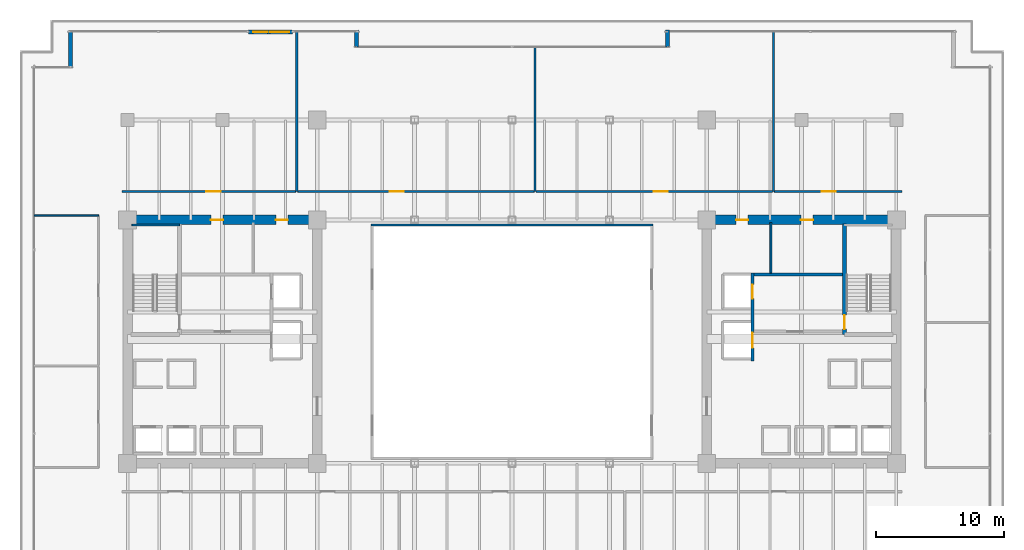
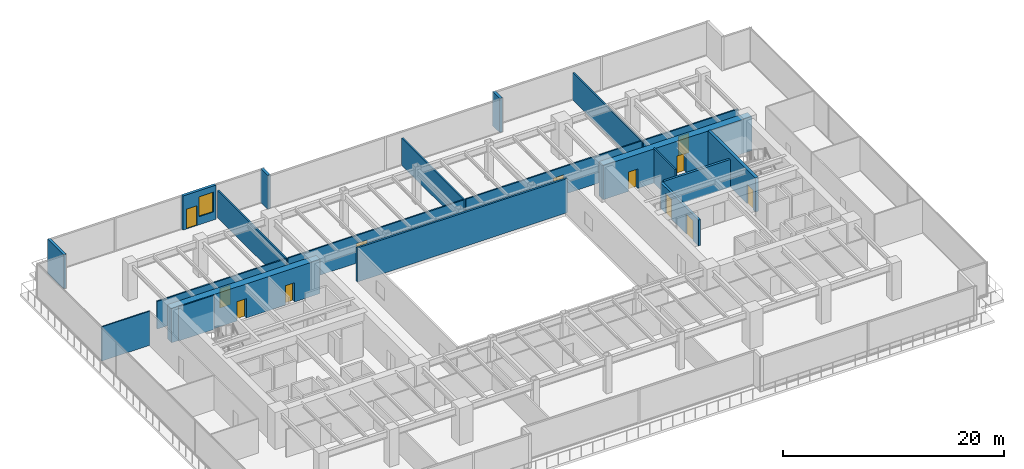
# One storey, part 31 of 36: 20 walls, 12 doors, 1 window, 13 openings.
"""IFC4 building model written with IfcOpenShell, lengths in metres."""

from ifc_helpers import new_model, si_unit, direction, frame, frame_2d, origin, place, context, subcontext, project, spatial, rectangle, extrude, source, transform, mapped, material, layer, layer_set, type_object, type_shapes, element, fill, save


model = new_model("IFC4")

# Units and contexts
model_context = context("Model", 3, precision=1e-05, world=origin(), true_north=direction((0.0, 1.0)))
body_context = subcontext(model_context, "Body", "Model", "MODEL_VIEW")
ifc_project = project(units=[si_unit("LENGTHUNIT", "METRE"), si_unit("AREAUNIT", "SQUARE_METRE"), si_unit("VOLUMEUNIT", "CUBIC_METRE"), si_unit("PLANEANGLEUNIT", "RADIAN"), si_unit("MASSUNIT", "GRAM", prefix="KILO")], contexts=[model_context])

# Site, building, storey
site_placement = place(None, origin())
site = spatial("IfcSite", under=ifc_project, at=site_placement, CompositionType="ELEMENT")
building_placement = place(site_placement, origin())
building = spatial("IfcBuilding", under=site, at=building_placement, Name="Haelvirn Gate Laboratories", CompositionType="ELEMENT")
storey_placement = place(building_placement, frame((0.0, 0.0, 25.199951171875)))
storey = spatial("IfcBuildingStorey", under=building, at=storey_placement, Name="L06", CompositionType="ELEMENT", Elevation=25.199951171875)

# Wall, openings, door, window
ifc_material_1 = material(Name="Thermally-broken bronze aluminium rainscreen & mineral wool", Category="aluminium")
ifc_layer_1 = layer(ifc_material_1, 0.280029296875, Name="EW-TERR-280")
ifc_layer_set_1 = layer_set([ifc_layer_1], Name="Thermally-broken bronze aluminium rainscreen & mineral wool")
wall_type_1 = type_object("IfcWallType", Name="EW-TERR-280", PredefinedType="STANDARD", material=ifc_layer_set_1)
wall_1_placement = place(storey_placement, frame((16.822021484375, 48.4599609375, 0.0), z_axis=(0.0, 0.0, 1.0), x_axis=(1.0, 0.0, 0.0)))
wall_1 = element("IfcWall", 1, at=wall_1_placement, inside=storey, type_object=wall_type_1, Name="L06 Terrace Access Wall SETB-N", PredefinedType="STANDARD", context=body_context, shape_type="SweptSolid", body=[
    extrude(rectangle(XDim=3.4560546875, YDim=0.280029296875, at=frame_2d((1.72802734375, 0.0))), origin(), (0.0, 0.0, 1.0), 3.780029296875),
])
opening_1_placement = place(wall_1_placement, frame((0.3779296875, 0.0, 0.0)))
opening_1 = element("IfcOpeningElement", 2, at=opening_1_placement, cuts=wall_1, Name="Opening TD1", PredefinedType="OPENING", context=body_context, shape_type="SweptSolid", body=[
    extrude(rectangle(XDim=1.10009765625, YDim=2.199951171875, at=frame_2d((0.550048828125, 1.10009765625))), frame((0.0, 0.14990234375, 0.0), z_axis=(0.0, -1.0, 0.0), x_axis=(1.0, 0.0, 0.0)), (0.0, 0.0, 1.0), 0.300048828125),
])
opening_2_placement = place(wall_1_placement, frame((1.677978515625, 0.0, 0.89990234375)))
opening_2 = element("IfcOpeningElement", 3, at=opening_2_placement, cuts=wall_1, Name="Opening W3", PredefinedType="OPENING", context=body_context, shape_type="SweptSolid", body=[
    extrude(rectangle(XDim=1.5, YDim=2.199951171875, at=frame_2d((0.75, 1.10009765625))), frame((0.0, 0.14990234375, 0.0), z_axis=(0.0, -1.0, 0.0), x_axis=(1.0, 0.0, 0.0)), (0.0, 0.0, 1.0), 0.300048828125),
])
ifc_material_2 = material(Name="Thermally-broken bronze aluminium glazed terrace door", Category="aluminium")
door_type_1 = type_object("IfcDoorType", Name="DR-TERR-1100", OperationType="NOTDEFINED", PredefinedType="DOOR", material=ifc_material_2)
shared_shape_1 = source(origin(), body_context, "Body", "SweptSolid", [
    extrude(rectangle(XDim=1.10009765625, YDim=2.199951171875, at=frame_2d((0.550048828125, 1.10009765625))), frame((0.0, 0.02490234375, 0.0), z_axis=(0.0, -1.0, 0.0), x_axis=(1.0, 0.0, 0.0)), (0.0, 0.0, 1.0), 0.050048828125),
])
type_shapes(door_type_1, [shared_shape_1])
door_1_placement = place(opening_1_placement, origin())
door_1 = element("IfcDoor", 4, at=door_1_placement, inside=storey, type_object=door_type_1, Name="L06 Terrace Access Door SETB-N", OperationType="SINGLE_SWING_RIGHT", OverallHeight=2.199951171875, OverallWidth=1.10009765625, PredefinedType="DOOR", context=body_context, shape_type="MappedRepresentation", body=[
    mapped(shared_shape_1, transform((0.0, 0.0, 0.0), scale=1.0)),
])
fill(opening_1, door_1)
ifc_material_3 = material(Name="Bronze anodised aluminium & triple low-E glass", Category="aluminium")
window_type = type_object("IfcWindowType", Name="WIN-TERR-1600", PartitioningType="SINGLE_PANEL", PredefinedType="WINDOW", material=ifc_material_3)
shared_shape_2 = source(origin(), body_context, "Body", "SweptSolid", [
    extrude(rectangle(XDim=1.5, YDim=2.199951171875, at=frame_2d((0.75, 1.10009765625))), frame((0.0, 0.030029296875, 0.0), z_axis=(0.0, -1.0, 0.0), x_axis=(1.0, 0.0, 0.0)), (0.0, 0.0, 1.0), 0.06005859375),
])
type_shapes(window_type, [shared_shape_2])
window_placement = place(opening_2_placement, origin())
window = element("IfcWindow", 5, at=window_placement, inside=storey, type_object=window_type, Name="L06 Terrace Vision Window SETB-N", OverallHeight=2.199951171875, OverallWidth=1.5, PartitioningType="SINGLE_PANEL", PredefinedType="WINDOW", context=body_context, shape_type="MappedRepresentation", body=[
    mapped(shared_shape_2, transform((0.0, 0.0, 0.0), scale=1.0)),
])
fill(opening_2, window)

# Walls
for number, where, z_axis, x_axis, name in (
    (6, (49.5400390625, 48.60009765625, 0.0), (0.0, 0.0, 1.0), (0.0, -1.0, 0.0), "L06 Atrium Recess Bronze Return Wall 11"),
    (7, (25.260009765625, 47.31201171875, 0.0), (0.0, 0.0, 1.0), (0.0, 1.0, 0.0), "L06 Atrium Recess Bronze Return Wall 13"),
):
    element("IfcWall", number, at=place(storey_placement, frame(where, z_axis=z_axis, x_axis=x_axis)), inside=storey, type_object=wall_type_1, Name=name, PredefinedType="STANDARD", context=body_context, shape_type="SweptSolid", body=[
        extrude(rectangle(XDim=1.2880859375, YDim=0.280029296875, at=frame_2d((0.64404296875, 0.0))), origin(), (0.0, 0.0, 1.0), 3.780029296875),
    ])
wall_2_placement = place(storey_placement, frame((2.93994140625, 48.60009765625, 0.0), z_axis=(0.0, 0.0, 1.0), x_axis=(0.0, -1.0, 0.0)))
element("IfcWall", 8, at=wall_2_placement, inside=storey, type_object=wall_type_1, Name="L06 Atrium Recess Bronze Return Wall 15", PredefinedType="STANDARD", context=body_context, shape_type="SweptSolid", body=[
    extrude(rectangle(XDim=2.88818359375, YDim=0.280029296875, at=frame_2d((1.444091796875, 0.0))), origin(), (0.0, 0.0, 1.0), 3.780029296875),
])
ifc_material_4 = material(Name="Double-layer acoustic gypsum laboratory partition", Category="gypsum")
ifc_layer_2 = layer(ifc_material_4, 0.159912109375, Name="IW-ACOUST-160")
ifc_layer_set_2 = layer_set([ifc_layer_2], Name="Double-layer acoustic gypsum laboratory partition")
wall_type_2 = type_object("IfcWallType", Name="IW-ACOUST-160", PredefinedType="PARTITIONING", material=ifc_layer_set_2)
wall_3_placement = place(storey_placement, frame((20.60009765625, 36.010009765625, 0.0), z_axis=(0.0, 0.0, 1.0), x_axis=(0.0, 1.0, 0.0)))
element("IfcWall", 9, at=wall_3_placement, inside=storey, type_object=wall_type_2, Name="L06 Interior Wall IW-L06-NDIV-01", PredefinedType="PARTITIONING", context=body_context, shape_type="SweptSolid", body=[
    extrude(rectangle(XDim=12.47998046875, YDim=0.159912109375, at=frame_2d((6.239990234375, 0.0))), origin(), (0.0, 0.0, 1.0), 3.01513671875),
])
wall_4_placement = place(storey_placement, frame((39.199951171875, 36.010009765625, 0.0), z_axis=(0.0, 0.0, 1.0), x_axis=(0.0, 1.0, 0.0)))
element("IfcWall", 10, at=wall_4_placement, inside=storey, type_object=wall_type_2, Name="L06 Interior Wall IW-L06-NDIV-02", PredefinedType="PARTITIONING", context=body_context, shape_type="SweptSolid", body=[
    extrude(rectangle(XDim=11.280029296875, YDim=0.159912109375, at=frame_2d((5.64013671875, 0.0))), origin(), (0.0, 0.0, 1.0), 3.01513671875),
])
wall_5_placement = place(storey_placement, frame((57.800048828125, 36.010009765625, 0.0), z_axis=(0.0, 0.0, 1.0), x_axis=(0.0, 1.0, 0.0)))
element("IfcWall", 11, at=wall_5_placement, inside=storey, type_object=wall_type_2, Name="L06 Interior Wall IW-L06-NDIV-03", PredefinedType="PARTITIONING", context=body_context, shape_type="SweptSolid", body=[
    extrude(rectangle(XDim=12.47998046875, YDim=0.159912109375, at=frame_2d((6.239990234375, 0.0))), origin(), (0.0, 0.0, 1.0), 3.01513671875),
])
ifc_material_5 = material(Name="Tempered fire-rated borosilicate glass & anodised aluminium", Category="aluminium")
ifc_layer_3 = layer(ifc_material_5, 0.195068359375, Name="IW-GLAZ-200")
ifc_layer_set_3 = layer_set([ifc_layer_3], Name="Tempered fire-rated borosilicate glass & anodised aluminium")
wall_type_3 = type_object("IfcWallType", Name="IW-GLAZ-200", PredefinedType="SOLIDWALL", material=ifc_layer_set_3)
wall_6_placement = place(storey_placement, frame((26.39990234375, 33.39990234375, 0.0), z_axis=(0.0, 0.0, 1.0), x_axis=(1.0, 0.0, 0.0)))
element("IfcWall", 12, at=wall_6_placement, inside=storey, type_object=wall_type_3, Name="L06 Interior Wall IW-L06-ATRIUM-N", PredefinedType="SOLIDWALL", context=body_context, shape_type="SweptSolid", body=[
    extrude(rectangle(XDim=22.0, YDim=0.195068359375, at=frame_2d((11.0, 0.0))), origin(), (0.0, 0.0, 1.0), 3.780029296875),
])
ifc_material_6 = material(Name="Lightweight acoustic gypsum board partition", Category="gypsum")
ifc_layer_4 = layer(ifc_material_6, 0.1201171875, Name="IW-PART-120")
ifc_layer_set_4 = layer_set([ifc_layer_4], Name="Lightweight acoustic gypsum board partition")
wall_type_4 = type_object("IfcWallType", Name="IW-PART-120", PredefinedType="PARTITIONING", material=ifc_layer_set_4)
wall_7_placement = place(storey_placement, frame((0.110107421875, 34.135009765625, 0.0), z_axis=(0.0, 0.0, 1.0), x_axis=(1.0, 0.0, 0.0)))
element("IfcWall", 13, at=wall_7_placement, inside=storey, type_object=wall_type_4, Name="L06 Interior Wall IW-L06-WCAP-N", PredefinedType="PARTITIONING", context=body_context, shape_type="SweptSolid", body=[
    extrude(rectangle(XDim=5.019775390625, YDim=0.1201171875, at=frame_2d((2.509765625, 0.0))), origin(), (0.0, 0.0, 1.0), 3.780029296875),
])

# Wall, opening, door
ifc_material_7 = material(Name="Acoustic mineral-wool gypsum board partition", Category="gypsum")
ifc_layer_5 = layer(ifc_material_7, 0.139892578125, Name="IW-PART-140")
ifc_layer_set_5 = layer_set([ifc_layer_5], Name="Acoustic mineral-wool gypsum board partition")
wall_type_5 = type_object("IfcWallType", Name="IW-PART-140", PredefinedType="PARTITIONING", material=ifc_layer_set_5)
wall_8_placement = place(storey_placement, frame((6.97998046875, 36.010009765625, 0.0), z_axis=(0.0, 0.0, 1.0), x_axis=(1.0, 0.0, 0.0)))
wall_8 = element("IfcWall", 14, at=wall_8_placement, inside=storey, type_object=wall_type_5, Name="L06 Interior Wall IW-L06-NCORR-01", PredefinedType="PARTITIONING", context=body_context, shape_type="SweptSolid", body=[
    extrude(rectangle(XDim=13.5400390625, YDim=0.139892578125, at=frame_2d((6.77001953125, 0.0))), origin(), (0.0, 0.0, 1.0), 3.06494140625),
])
opening_3_placement = place(wall_8_placement, frame((6.572265625, 0.0, 0.0)))
opening_3 = element("IfcOpeningElement", 15, at=opening_3_placement, cuts=wall_8, Name="Opening D1", PredefinedType="OPENING", context=body_context, shape_type="SweptSolid", body=[
    extrude(rectangle(XDim=1.10009765625, YDim=2.179931640625, at=frame_2d((0.550048828125, 1.08984375))), frame((0.0, 0.080078125, 0.0), z_axis=(0.0, -1.0, 0.0), x_axis=(1.0, 0.0, 0.0)), (0.0, 0.0, 1.0), 0.159912109375),
])
ifc_material_8 = material(Name="Vision-panel acoustic solid-core timber lab door", Category="wood")
door_type_2 = type_object("IfcDoorType", Name="DR-LAB-1100", OperationType="NOTDEFINED", PredefinedType="DOOR", material=ifc_material_8)
shared_shape_3 = source(origin(), body_context, "Body", "SweptSolid", [
    extrude(rectangle(XDim=1.10009765625, YDim=2.179931640625, at=frame_2d((0.550048828125, 1.08984375))), frame((0.0, 0.02490234375, 0.0), z_axis=(0.0, -1.0, 0.0), x_axis=(1.0, 0.0, 0.0)), (0.0, 0.0, 1.0), 0.050048828125),
])
type_shapes(door_type_2, [shared_shape_3])
door_2_placement = place(opening_3_placement, origin())
door_2 = element("IfcDoor", 16, at=door_2_placement, inside=storey, type_object=door_type_2, Name="L06 Researcher Break Pantry Door N1", OperationType="SINGLE_SWING_RIGHT", OverallHeight=2.179931640625, OverallWidth=1.10009765625, PredefinedType="DOOR", context=body_context, shape_type="MappedRepresentation", body=[
    mapped(shared_shape_3, transform((0.0, 0.0, 0.0), scale=1.0)),
])
fill(opening_3, door_2)

wall_9_placement = place(storey_placement, frame((20.679931640625, 36.010009765625, 0.0), z_axis=(0.0, 0.0, 1.0), x_axis=(1.0, 0.0, 0.0)))
wall_9 = element("IfcWall", 17, at=wall_9_placement, inside=storey, type_object=wall_type_5, Name="L06 Interior Wall IW-L06-NCORR-02", PredefinedType="PARTITIONING", context=body_context, shape_type="SweptSolid", body=[
    extrude(rectangle(XDim=18.440185546875, YDim=0.139892578125, at=frame_2d((9.22021484375, 0.0))), origin(), (0.0, 0.0, 1.0), 3.06494140625),
])
opening_4_placement = place(wall_9_placement, frame((7.17236328125, 0.0, 0.0)))
opening_4 = element("IfcOpeningElement", 18, at=opening_4_placement, cuts=wall_9, Name="Opening D1", PredefinedType="OPENING", context=body_context, shape_type="SweptSolid", body=[
    extrude(rectangle(XDim=1.10009765625, YDim=2.179931640625, at=frame_2d((0.550048828125, 1.08984375))), frame((0.0, 0.080078125, 0.0), z_axis=(0.0, -1.0, 0.0), x_axis=(1.0, 0.0, 0.0)), (0.0, 0.0, 1.0), 0.159912109375),
])
door_3_placement = place(opening_4_placement, origin())
door_3 = element("IfcDoor", 19, at=door_3_placement, inside=storey, type_object=door_type_2, Name="L06 Floor Hydration & Tea Servery Door N2", OperationType="SINGLE_SWING_LEFT", OverallHeight=2.179931640625, OverallWidth=1.10009765625, PredefinedType="DOOR", context=body_context, shape_type="MappedRepresentation", body=[
    mapped(shared_shape_3, transform((0.0, 0.0, 0.0), scale=1.0)),
])
fill(opening_4, door_3)

wall_10_placement = place(storey_placement, frame((39.280029296875, 36.010009765625, 0.0), z_axis=(0.0, 0.0, 1.0), x_axis=(1.0, 0.0, 0.0)))
wall_10 = element("IfcWall", 20, at=wall_10_placement, inside=storey, type_object=wall_type_5, Name="L06 Interior Wall IW-L06-NCORR-03", PredefinedType="PARTITIONING", context=body_context, shape_type="SweptSolid", body=[
    extrude(rectangle(XDim=18.43994140625, YDim=0.139892578125, at=frame_2d((9.219970703125, 0.0))), origin(), (0.0, 0.0, 1.0), 3.06494140625),
])
opening_5_placement = place(wall_10_placement, frame((9.169189453125, 0.0, 0.0)))
opening_5 = element("IfcOpeningElement", 21, at=opening_5_placement, cuts=wall_10, Name="Opening D1", PredefinedType="OPENING", context=body_context, shape_type="SweptSolid", body=[
    extrude(rectangle(XDim=1.10009765625, YDim=2.179931640625, at=frame_2d((0.550048828125, 1.08984375))), frame((0.0, 0.080078125, 0.0), z_axis=(0.0, -1.0, 0.0), x_axis=(1.0, 0.0, 0.0)), (0.0, 0.0, 1.0), 0.159912109375),
])
door_4_placement = place(opening_5_placement, origin())
door_4 = element("IfcDoor", 22, at=door_4_placement, inside=storey, type_object=door_type_2, Name="L06 Genomics Assay Laboratory Door N3", OperationType="SINGLE_SWING_RIGHT", OverallHeight=2.179931640625, OverallWidth=1.10009765625, PredefinedType="DOOR", context=body_context, shape_type="MappedRepresentation", body=[
    mapped(shared_shape_3, transform((0.0, 0.0, 0.0), scale=1.0)),
])
fill(opening_5, door_4)

wall_11_placement = place(storey_placement, frame((57.8798828125, 36.010009765625, 0.0), z_axis=(0.0, 0.0, 1.0), x_axis=(1.0, 0.0, 0.0)))
wall_11 = element("IfcWall", 23, at=wall_11_placement, inside=storey, type_object=wall_type_5, Name="L06 Interior Wall IW-L06-NCORR-04", PredefinedType="PARTITIONING", context=body_context, shape_type="SweptSolid", body=[
    extrude(rectangle(XDim=9.940185546875, YDim=0.139892578125, at=frame_2d((4.97021484375, 0.0))), origin(), (0.0, 0.0, 1.0), 3.06494140625),
])
opening_6_placement = place(wall_11_placement, frame((3.6875, 0.0, 0.0)))
opening_6 = element("IfcOpeningElement", 24, at=opening_6_placement, cuts=wall_11, Name="Opening D1", PredefinedType="OPENING", context=body_context, shape_type="SweptSolid", body=[
    extrude(rectangle(XDim=1.10009765625, YDim=2.179931640625, at=frame_2d((0.550048828125, 1.08984375))), frame((0.0, 0.080078125, 0.0), z_axis=(0.0, -1.0, 0.0), x_axis=(1.0, 0.0, 0.0)), (0.0, 0.0, 1.0), 0.159912109375),
])
door_5_placement = place(opening_6_placement, origin())
door_5 = element("IfcDoor", 25, at=door_5_placement, inside=storey, type_object=door_type_2, Name="L06 Proteomics Mass-Spec Laboratory Door N4", OperationType="SINGLE_SWING_LEFT", OverallHeight=2.179931640625, OverallWidth=1.10009765625, PredefinedType="DOOR", context=body_context, shape_type="MappedRepresentation", body=[
    mapped(shared_shape_3, transform((0.0, 0.0, 0.0), scale=1.0)),
])
fill(opening_6, door_5)

# Walls
ifc_material_9 = material(Name="Cement-board restroom plumbing chase wall", Category="gypsum")
ifc_layer_6 = layer(ifc_material_9, 0.155029296875, Name="IW-PLUMB-160")
ifc_layer_set_6 = layer_set([ifc_layer_6], Name="Cement-board restroom plumbing chase wall")
wall_type_6 = type_object("IfcWallType", Name="IW-PLUMB-160", PredefinedType="PLUMBINGWALL", material=ifc_layer_set_6)
wall_12_placement = place(storey_placement, frame((57.610107421875, 29.64990234375, 0.0), z_axis=(0.0, 0.0, 1.0), x_axis=(0.0, 1.0, 0.0)))
element("IfcWall", 26, at=wall_12_placement, inside=storey, type_object=wall_type_6, Name="L06 Interior Wall IW-L06-E-CDIV-1", PredefinedType="PLUMBINGWALL", context=body_context, shape_type="SweptSolid", body=[
    extrude(rectangle(XDim=3.93017578125, YDim=0.155029296875, at=frame_2d((1.965087890625, 0.0))), origin(), (0.0, 0.0, 1.0), 3.780029296875),
])
ifc_material_10 = material(Name="Concrete C40/50", Category="concrete")
ifc_layer_7 = layer(ifc_material_10, 0.239990234375, Name="IW-SHAFT-240")
ifc_layer_set_7 = layer_set([ifc_layer_7], Name="Concrete C40/50")
wall_type_7 = type_object("IfcWallType", Name="IW-SHAFT-240", PredefinedType="SOLIDWALL", material=ifc_layer_set_7)
wall_13_placement = place(storey_placement, frame((56.280029296875, 29.52001953125, 0.0), z_axis=(0.0, 0.0, 1.0), x_axis=(1.0, 0.0, 0.0)))
element("IfcWall", 27, at=wall_13_placement, inside=storey, type_object=wall_type_7, Name="L06 Interior Wall IW-L06-E-FF-N", PredefinedType="SOLIDWALL", context=body_context, shape_type="SweptSolid", body=[
    extrude(rectangle(XDim=6.919921875, YDim=0.239990234375, at=frame_2d((3.4599609375, 0.0))), origin(), (0.0, 0.0, 1.0), 3.06494140625),
])

# Wall, openings, doors
wall_14_placement = place(storey_placement, frame((56.159912109375, 22.800048828125, 0.0), z_axis=(0.0, 0.0, 1.0), x_axis=(0.0, 1.0, 0.0)))
wall_14 = element("IfcWall", 28, at=wall_14_placement, inside=storey, type_object=wall_type_7, Name="L06 Interior Wall IW-L06-E-FF-E", PredefinedType="SOLIDWALL", context=body_context, shape_type="SweptSolid", body=[
    extrude(rectangle(XDim=6.849853515625, YDim=0.239990234375, at=frame_2d((3.4248046875, 0.0))), origin(), (0.0, 0.0, 1.0), 2.864990234375),
])
opening_7_placement = place(wall_14_placement, frame((4.85009765625, 0.0, 0.0)))
opening_7 = element("IfcOpeningElement", 29, at=opening_7_placement, cuts=wall_14, Name="Opening LD2", PredefinedType="OPENING", context=body_context, shape_type="SweptSolid", body=[
    extrude(rectangle(XDim=1.10009765625, YDim=2.219970703125, at=frame_2d((0.550048828125, 1.10986328125))), frame((0.0, 0.1298828125, 0.0), z_axis=(0.0, -1.0, 0.0), x_axis=(1.0, 0.0, 0.0)), (0.0, 0.0, 1.0), 0.260009765625),
])
opening_8_placement = place(wall_14_placement, frame((1.0, 0.0, 0.0)))
opening_8 = element("IfcOpeningElement", 30, at=opening_8_placement, cuts=wall_14, Name="Opening LD1", PredefinedType="OPENING", context=body_context, shape_type="SweptSolid", body=[
    extrude(rectangle(XDim=1.199951171875, YDim=2.219970703125, at=frame_2d((0.60009765625, 1.10986328125))), frame((0.0, 0.1298828125, 0.0), z_axis=(0.0, -1.0, 0.0), x_axis=(1.0, 0.0, 0.0)), (0.0, 0.0, 1.0), 0.260009765625),
])
ifc_material_11 = material(Name="Bronze stainless 316L sliding lift landing door")
door_type_3 = type_object("IfcDoorType", Name="DR-LD-1100", OperationType="NOTDEFINED", PredefinedType="USERDEFINED", material=ifc_material_11)
shared_shape_4 = source(origin(), body_context, "Body", "SweptSolid", [
    extrude(rectangle(XDim=1.10009765625, YDim=2.219970703125, at=frame_2d((0.550048828125, 1.10986328125))), frame((0.0, 0.02490234375, 0.0), z_axis=(0.0, -1.0, 0.0), x_axis=(1.0, 0.0, 0.0)), (0.0, 0.0, 1.0), 0.050048828125),
])
type_shapes(door_type_3, [shared_shape_4])
door_6_placement = place(opening_7_placement, origin())
door_6 = element("IfcDoor", 31, at=door_6_placement, inside=storey, type_object=door_type_3, Name="L06 Firefighting Lift FL2 Landing Door", ObjectType="LANDING_DOOR", OperationType="SLIDING_TO_RIGHT", OverallHeight=2.219970703125, OverallWidth=1.10009765625, PredefinedType="USERDEFINED", context=body_context, shape_type="MappedRepresentation", body=[
    mapped(shared_shape_4, transform((0.0, 0.0, 0.0), scale=1.0)),
])
fill(opening_7, door_6)
ifc_material_12 = material(Name="Stainless steel 316L sliding goods landing door", Category="steel")
door_type_4 = type_object("IfcDoorType", Name="DR-LD-1200", OperationType="NOTDEFINED", PredefinedType="USERDEFINED", material=ifc_material_12)
shared_shape_5 = source(origin(), body_context, "Body", "SweptSolid", [
    extrude(rectangle(XDim=1.199951171875, YDim=2.219970703125, at=frame_2d((0.60009765625, 1.10986328125))), frame((0.0, 0.02490234375, 0.0), z_axis=(0.0, -1.0, 0.0), x_axis=(1.0, 0.0, 0.0)), (0.0, 0.0, 1.0), 0.050048828125),
])
type_shapes(door_type_4, [shared_shape_5])
door_7_placement = place(opening_8_placement, origin())
door_7 = element("IfcDoor", 32, at=door_7_placement, inside=storey, type_object=door_type_4, Name="L06 Service Lift SL2 Landing Door", ObjectType="LANDING_DOOR", OperationType="SLIDING_TO_LEFT", OverallHeight=2.219970703125, OverallWidth=1.199951171875, PredefinedType="USERDEFINED", context=body_context, shape_type="MappedRepresentation", body=[
    mapped(shared_shape_5, transform((0.0, 0.0, 0.0), scale=1.0)),
])
fill(opening_8, door_7)

ifc_material_13 = material(Name="Concrete C70/85", Category="concrete")
ifc_layer_8 = layer(ifc_material_13, 0.75, Name="SW-CORE-750")
ifc_layer_set_8 = layer_set([ifc_layer_8], Name="Concrete C70/85")
wall_type_8 = type_object("IfcWallType", Name="SW-CORE-750", PredefinedType="SHEAR", material=ifc_layer_set_8)
wall_15_placement = place(storey_placement, frame((7.02490234375, 33.800048828125, 0.0), z_axis=(0.0, 0.0, 1.0), x_axis=(1.0, 0.0, 0.0)))
wall_15 = element("IfcWall", 33, at=wall_15_placement, inside=storey, type_object=wall_type_8, Name="L06 W Core Shear Wall N", PredefinedType="SHEAR", context=body_context, shape_type="SweptSolid", body=[
    extrude(rectangle(XDim=15.550048828125, YDim=0.75, at=frame_2d((7.77490234375, 0.0))), origin(), (0.0, 0.0, 1.0), 3.780029296875),
])
opening_9_placement = place(wall_15_placement, frame((6.875, 0.0, 0.0)))
opening_9 = element("IfcOpeningElement", 34, at=opening_9_placement, cuts=wall_15, Name="Opening FD4", PredefinedType="OPENING", context=body_context, shape_type="SweptSolid", body=[
    extrude(rectangle(XDim=0.949951171875, YDim=2.14990234375, at=frame_2d((0.47509765625, 1.074951171875))), frame((0.0, 0.385009765625, 0.0), z_axis=(0.0, -1.0, 0.0), x_axis=(1.0, 0.0, 0.0)), (0.0, 0.0, 1.0), 0.77001953125),
])
opening_10_placement = place(wall_15_placement, frame((11.93994140625, 0.0, 0.0)))
opening_10 = element("IfcOpeningElement", 35, at=opening_10_placement, cuts=wall_15, Name="Opening FD4", PredefinedType="OPENING", context=body_context, shape_type="SweptSolid", body=[
    extrude(rectangle(XDim=0.949951171875, YDim=2.14990234375, at=frame_2d((0.47509765625, 1.074951171875))), frame((0.0, 0.385009765625, 0.0), z_axis=(0.0, -1.0, 0.0), x_axis=(1.0, 0.0, 0.0)), (0.0, 0.0, 1.0), 0.77001953125),
])
ifc_material_14 = material(Name="Fire-rated steel SM355 core service door", Category="steel")
door_type_5 = type_object("IfcDoorType", Name="DR-FD-950", OperationType="NOTDEFINED", PredefinedType="DOOR", material=ifc_material_14)
shared_shape_6 = source(origin(), body_context, "Body", "SweptSolid", [
    extrude(rectangle(XDim=0.949951171875, YDim=2.14990234375, at=frame_2d((0.47509765625, 1.074951171875))), frame((0.0, 0.02490234375, 0.0), z_axis=(0.0, -1.0, 0.0), x_axis=(1.0, 0.0, 0.0)), (0.0, 0.0, 1.0), 0.050048828125),
])
type_shapes(door_type_5, [shared_shape_6])
door_8_placement = place(opening_9_placement, origin())
door_8 = element("IfcDoor", 36, at=door_8_placement, inside=storey, type_object=door_type_5, Name="L06 All-Gender Multi-Stall Restroom Fire Door", OperationType="SINGLE_SWING_LEFT", OverallHeight=2.14990234375, OverallWidth=0.949951171875, PredefinedType="DOOR", context=body_context, shape_type="MappedRepresentation", body=[
    mapped(shared_shape_6, transform((0.0, 0.0, 0.0), scale=1.0)),
])
fill(opening_9, door_8)
door_9_placement = place(opening_10_placement, origin())
door_9 = element("IfcDoor", 37, at=door_9_placement, inside=storey, type_object=door_type_5, Name="L06 Accessible Restroom Fire Door", OperationType="SINGLE_SWING_RIGHT", OverallHeight=2.14990234375, OverallWidth=0.949951171875, PredefinedType="DOOR", context=body_context, shape_type="MappedRepresentation", body=[
    mapped(shared_shape_6, transform((0.0, 0.0, 0.0), scale=1.0)),
])
fill(opening_10, door_9)

wall_16_placement = place(storey_placement, frame((52.22509765625, 33.800048828125, 0.0), z_axis=(0.0, 0.0, 1.0), x_axis=(1.0, 0.0, 0.0)))
wall_16 = element("IfcWall", 38, at=wall_16_placement, inside=storey, type_object=wall_type_8, Name="L06 E Core Shear Wall N", PredefinedType="SHEAR", context=body_context, shape_type="SweptSolid", body=[
    extrude(rectangle(XDim=15.5498046875, YDim=0.75, at=frame_2d((7.77490234375, 0.0))), origin(), (0.0, 0.0, 1.0), 3.780029296875),
])
opening_11_placement = place(wall_16_placement, frame((7.72509765625, 0.0, 0.0)))
opening_11 = element("IfcOpeningElement", 39, at=opening_11_placement, cuts=wall_16, Name="Opening FD4", PredefinedType="OPENING", context=body_context, shape_type="SweptSolid", body=[
    extrude(rectangle(XDim=0.949951171875, YDim=2.14990234375, at=frame_2d((0.47509765625, 1.074951171875))), frame((0.0, 0.385009765625, 0.0), z_axis=(0.0, -1.0, 0.0), x_axis=(1.0, 0.0, 0.0)), (0.0, 0.0, 1.0), 0.77001953125),
])
opening_12_placement = place(wall_16_placement, frame((2.659912109375, 0.0, 0.0)))
opening_12 = element("IfcOpeningElement", 40, at=opening_12_placement, cuts=wall_16, Name="Opening FD4", PredefinedType="OPENING", context=body_context, shape_type="SweptSolid", body=[
    extrude(rectangle(XDim=0.949951171875, YDim=2.14990234375, at=frame_2d((0.47509765625, 1.074951171875))), frame((0.0, 0.385009765625, 0.0), z_axis=(0.0, -1.0, 0.0), x_axis=(1.0, 0.0, 0.0)), (0.0, 0.0, 1.0), 0.77001953125),
])
door_10_placement = place(opening_11_placement, origin())
door_10 = element("IfcDoor", 41, at=door_10_placement, inside=storey, type_object=door_type_5, Name="L06 All-Gender Multi-Stall Restroom Fire Door", OperationType="SINGLE_SWING_LEFT", OverallHeight=2.14990234375, OverallWidth=0.949951171875, PredefinedType="DOOR", context=body_context, shape_type="MappedRepresentation", body=[
    mapped(shared_shape_6, transform((0.0, 0.0, 0.0), scale=1.0)),
])
fill(opening_11, door_10)
door_11_placement = place(opening_12_placement, origin())
door_11 = element("IfcDoor", 42, at=door_11_placement, inside=storey, type_object=door_type_5, Name="L06 Accessible Restroom Fire Door", OperationType="SINGLE_SWING_RIGHT", OverallHeight=2.14990234375, OverallWidth=0.949951171875, PredefinedType="DOOR", context=body_context, shape_type="MappedRepresentation", body=[
    mapped(shared_shape_6, transform((0.0, 0.0, 0.0), scale=1.0)),
])
fill(opening_12, door_11)

# Wall
ifc_material_15 = material(Name="Concrete C50/60", Category="concrete")
ifc_layer_9 = layer(ifc_material_15, 0.1201171875, Name="SW-LINER-120")
ifc_layer_set_9 = layer_set([ifc_layer_9], Name="Concrete C50/60")
wall_type_9 = type_object("IfcWallType", Name="SW-LINER-120", PredefinedType="SOLIDWALL", material=ifc_layer_set_9)
wall_17_placement = place(storey_placement, frame((7.72998046875, 33.39990234375, 0.0), z_axis=(0.0, 0.0, 1.0), x_axis=(1.0, 0.0, 0.0)))
element("IfcWall", 43, at=wall_17_placement, inside=storey, type_object=wall_type_9, Name="L06 W Core Stair Shaft Liner Wall N", PredefinedType="SOLIDWALL", context=body_context, shape_type="SweptSolid", body=[
    extrude(rectangle(XDim=3.719970703125, YDim=0.1201171875, at=frame_2d((1.85986328125, 0.0))), origin(), (0.0, 0.0, 1.0), 3.780029296875),
])

# Wall, opening, door
ifc_layer_10 = layer(ifc_material_15, 0.300048828125, Name="SW-STAIR-300")
ifc_layer_set_10 = layer_set([ifc_layer_10], Name="Concrete C50/60")
wall_type_10 = type_object("IfcWallType", Name="SW-STAIR-300", PredefinedType="SHEAR", material=ifc_layer_set_10)
wall_18_placement = place(storey_placement, frame((63.35009765625, 24.85009765625, 0.0), z_axis=(0.0, 0.0, 1.0), x_axis=(0.0, 1.0, 0.0)))
wall_18 = element("IfcWall", 44, at=wall_18_placement, inside=storey, type_object=wall_type_10, Name="L06 E Core Stair Shaft Structural Wall IN", PredefinedType="SHEAR", context=body_context, shape_type="SweptSolid", body=[
    extrude(rectangle(XDim=8.6298828125, YDim=0.300048828125, at=frame_2d((4.31494140625, 0.0))), origin(), (0.0, 0.0, 1.0), 3.780029296875),
])
opening_13_placement = place(wall_18_placement, frame((0.419921875, 0.0, 0.0)))
opening_13 = element("IfcOpeningElement", 45, at=opening_13_placement, cuts=wall_18, Name="Opening FD3", PredefinedType="OPENING", context=body_context, shape_type="SweptSolid", body=[
    extrude(rectangle(XDim=1.10009765625, YDim=2.14990234375, at=frame_2d((0.550048828125, 1.074951171875))), frame((0.0, 0.16015625, 0.0), z_axis=(0.0, -1.0, 0.0), x_axis=(1.0, 0.0, 0.0)), (0.0, 0.0, 1.0), 0.320068359375),
])
ifc_material_16 = material(Name="Fire-rated steel SM355 escape stair door", Category="steel")
door_type_6 = type_object("IfcDoorType", Name="DR-FD-1100", OperationType="NOTDEFINED", PredefinedType="DOOR", material=ifc_material_16)
shared_shape_7 = source(origin(), body_context, "Body", "SweptSolid", [
    extrude(rectangle(XDim=1.10009765625, YDim=2.14990234375, at=frame_2d((0.550048828125, 1.074951171875))), frame((0.0, 0.02490234375, 0.0), z_axis=(0.0, -1.0, 0.0), x_axis=(1.0, 0.0, 0.0)), (0.0, 0.0, 1.0), 0.050048828125),
])
type_shapes(door_type_6, [shared_shape_7])
door_12_placement = place(opening_13_placement, origin())
door_12 = element("IfcDoor", 46, at=door_12_placement, inside=storey, type_object=door_type_6, Name="L06 Escape Stair ST2 Fire Door", OperationType="SINGLE_SWING_RIGHT", OverallHeight=2.14990234375, OverallWidth=1.10009765625, PredefinedType="DOOR", context=body_context, shape_type="MappedRepresentation", body=[
    mapped(shared_shape_7, transform((0.0, 0.0, 0.0), scale=1.0)),
])
fill(opening_13, door_12)

save(model, "model.ifc")
